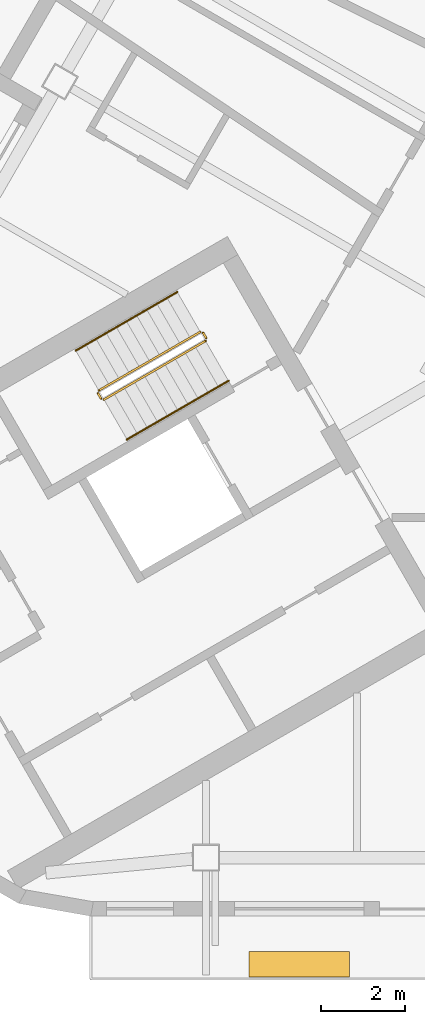
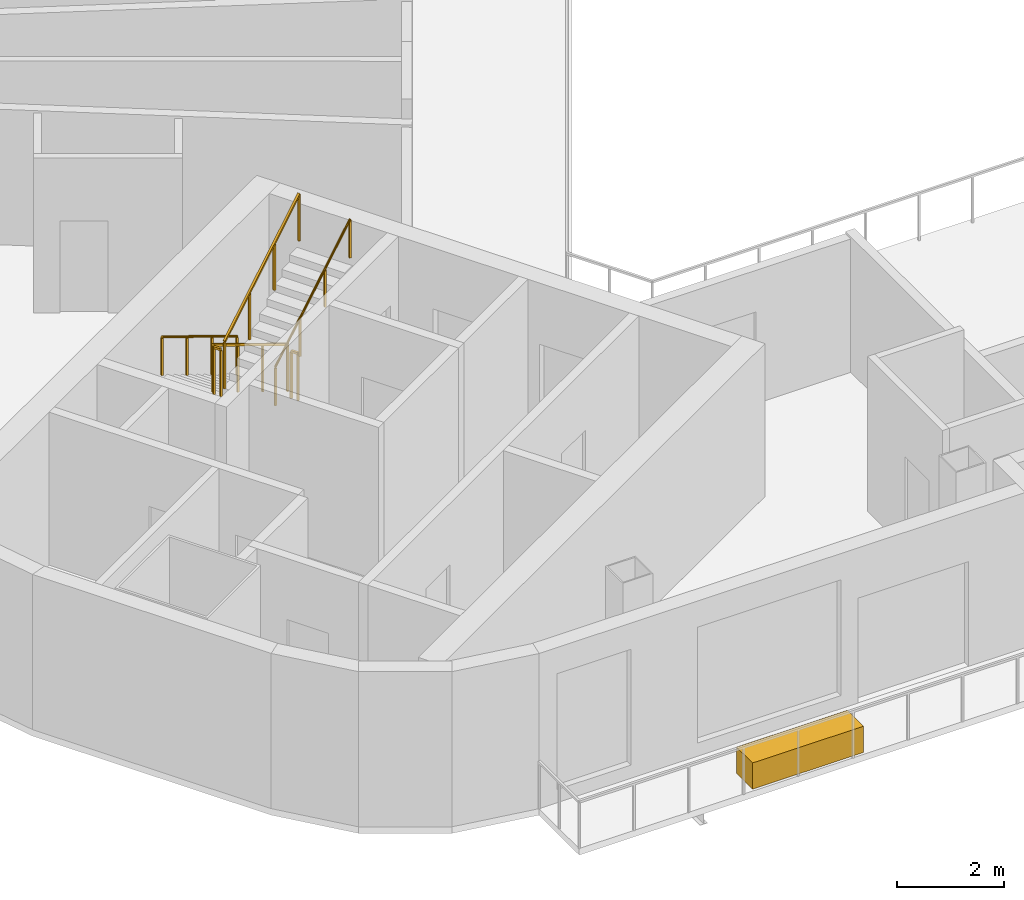
# One storey, part 9 of 13: 6 railings, 1 covering.
"""IFC4 building model written with IfcOpenShell, lengths in metres."""

from ifc_helpers import new_model, si_unit, direction, frame, origin, origin_2d, place, context, subcontext, project, spatial, rectangle, circle, extrude, material, type_object, element, save


model = new_model("IFC4")

# Units and contexts
model_context = context("Model", 3, precision=1e-05, world=origin(), true_north=direction((0.0, 1.0)))
body_context = subcontext(model_context, "Body", "Model", "MODEL_VIEW")
ifc_project = project(units=[si_unit("LENGTHUNIT", "METRE"), si_unit("AREAUNIT", "SQUARE_METRE"), si_unit("VOLUMEUNIT", "CUBIC_METRE"), si_unit("PLANEANGLEUNIT", "RADIAN"), si_unit("MASSUNIT", "GRAM", prefix="KILO")], contexts=[model_context])

# Site, building, storey
site_placement = place(None, origin())
site = spatial("IfcSite", under=ifc_project, at=site_placement, CompositionType="ELEMENT")
building_placement = place(site_placement, origin())
building = spatial("IfcBuilding", under=site, at=building_placement, Name="Apuvela Tower Hotel", CompositionType="ELEMENT")
storey_placement = place(building_placement, frame((0.0, 0.0, 283.699951171875)))
storey = spatial("IfcBuildingStorey", under=building, at=storey_placement, Name="L70", CompositionType="ELEMENT", Elevation=283.699951171875)

# Railings
ifc_material_1 = material(Name="Steel S275 balustrade", Category="steel")
railing_type_1 = type_object("IfcRailingType", Name="COR-GUARD-1100", PredefinedType="GUARDRAIL", material=ifc_material_1)
railing_1_placement = place(storey_placement, frame((-14.569091796875, -3.9658203125, 0.168212890625)))
element("IfcRailing", 1, at=railing_1_placement, inside=storey, type_object=railing_type_1, Name="L70 ST2 stair guard 1", PredefinedType="GUARDRAIL", context=body_context, shape_type="SweptSolid", body=[
    extrude(rectangle(XDim=0.048095703125, YDim=0.048095703125, at=origin_2d()), frame((0.0, 0.0, 1.076171875), z_axis=(-0.742390482028, -0.42860119049, 0.514934356695), x_axis=(0.49998411664, -0.866034573852, 0.0)), (0.0, 0.0, 1.0), 3.26611328125),
    extrude(rectangle(XDim=0.0419921875, YDim=0.0419921875, at=origin_2d()), origin(), (0.0, 0.0, 1.0), 1.052001953125),
    extrude(rectangle(XDim=0.0419921875, YDim=0.0419921875, at=origin_2d()), frame((-0.808349609375, -0.466552734375, 0.560546875)), (0.0, 0.0, 1.0), 1.052001953125),
    extrude(rectangle(XDim=0.0419921875, YDim=0.0419921875, at=origin_2d()), frame((-1.616455078125, -0.933349609375, 1.121337890625)), (0.0, 0.0, 1.0), 1.052001953125),
    extrude(rectangle(XDim=0.0419921875, YDim=0.0419921875, at=origin_2d()), frame((-2.4248046875, -1.39990234375, 1.681884765625)), (0.0, 0.0, 1.0), 1.052001953125),
])
railing_2_placement = place(storey_placement, frame((-17.01220703125, -5.43408203125, 1.85009765625)))
element("IfcRailing", 2, at=railing_2_placement, inside=storey, type_object=railing_type_1, Name="L70 ST2 stair guard 2", PredefinedType="GUARDRAIL", context=body_context, shape_type="SweptSolid", body=[
    extrude(rectangle(XDim=0.048095703125, YDim=0.048095703125, at=origin_2d()), frame((0.0, 0.0, 1.076171875), z_axis=(0.499816412211, -0.866131372301, 0.0), x_axis=(0.866131372301, 0.499816412211, 0.0)), (0.0, 0.0, 1.0), 0.14990234375),
    extrude(rectangle(XDim=0.0419921875, YDim=0.0419921875, at=origin_2d()), origin(), (0.0, 0.0, 1.0), 1.052001953125),
    extrude(rectangle(XDim=0.0419921875, YDim=0.0419921875, at=origin_2d()), frame((0.074951171875, -0.1298828125, 0.0)), (0.0, 0.0, 1.0), 1.052001953125),
])
railing_3_placement = place(storey_placement, frame((-16.868896484375, -5.582275390625, 2.018310546875)))
element("IfcRailing", 3, at=railing_3_placement, inside=storey, type_object=railing_type_1, Name="L70 ST2 stair guard 3", PredefinedType="GUARDRAIL", context=body_context, shape_type="SweptSolid", body=[
    extrude(rectangle(XDim=0.048095703125, YDim=0.048095703125, at=origin_2d()), frame((0.0, 0.0, 1.076171875), z_axis=(0.74241905619, 0.428617687091, 0.514879426), x_axis=(-0.49998411664, 0.866034573852, 0.0)), (0.0, 0.0, 1.0), 3.26611328125),
    extrude(rectangle(XDim=0.0419921875, YDim=0.0419921875, at=origin_2d()), origin(), (0.0, 0.0, 1.0), 1.052001953125),
    extrude(rectangle(XDim=0.0419921875, YDim=0.0419921875, at=origin_2d()), frame((0.808349609375, 0.466552734375, 0.560546875)), (0.0, 0.0, 1.0), 1.052001953125),
    extrude(rectangle(XDim=0.0419921875, YDim=0.0419921875, at=origin_2d()), frame((1.616455078125, 0.933349609375, 1.12109375)), (0.0, 0.0, 1.0), 1.052001953125),
    extrude(rectangle(XDim=0.0419921875, YDim=0.0419921875, at=origin_2d()), frame((2.4248046875, 1.39990234375, 1.681640625)), (0.0, 0.0, 1.0), 1.052001953125),
])
railing_4_placement = place(storey_placement, frame((-14.500732421875, -3.984130859375, 0.0)))
element("IfcRailing", 4, at=railing_4_placement, inside=storey, type_object=railing_type_1, Name="L70 ST2 stair guard 4", PredefinedType="GUARDRAIL", context=body_context, shape_type="SweptSolid", body=[
    extrude(rectangle(XDim=0.048095703125, YDim=0.048095703125, at=origin_2d()), frame((0.0, 0.0, 1.076171875), z_axis=(0.499816412211, -0.866131372301, 0.0), x_axis=(0.866131372301, 0.499816412211, 0.0)), (0.0, 0.0, 1.0), 0.14990234375),
    extrude(rectangle(XDim=0.0419921875, YDim=0.0419921875, at=origin_2d()), origin(), (0.0, 0.0, 1.0), 1.052001953125),
    extrude(rectangle(XDim=0.0419921875, YDim=0.0419921875, at=origin_2d()), frame((0.074951171875, -0.1298828125, 0.0)), (0.0, 0.0, 1.0), 1.052001953125),
])
ifc_material_2 = material(Name="Stainless steel 316 handrail", Category="steel")
railing_type_2 = type_object("IfcRailingType", Name="COR-HANDRAIL-900", PredefinedType="HANDRAIL", material=ifc_material_2)
railing_5_placement = place(storey_placement, frame((-15.118896484375, -3.01318359375, 0.168212890625)))
element("IfcRailing", 5, at=railing_5_placement, inside=storey, type_object=railing_type_2, Name="L70 ST2 stair handrail 1", PredefinedType="HANDRAIL", context=body_context, shape_type="SweptSolid", body=[
    extrude(circle(Radius=0.02392578125, at=origin_2d()), frame((0.0, 0.0, 0.8759765625), z_axis=(-0.742424030051, -0.428577407461, 0.514905783049), x_axis=(0.49994636267, -0.866056369097, 0.0)), (0.0, 0.0, 1.0), 3.266357421875),
    extrude(rectangle(XDim=0.0419921875, YDim=0.0419921875, at=origin_2d()), origin(), (0.0, 0.0, 1.0), 0.851806640625),
    extrude(rectangle(XDim=0.0419921875, YDim=0.0419921875, at=origin_2d()), frame((-0.808349609375, -0.466552734375, 0.560546875)), (0.0, 0.0, 1.0), 0.851806640625),
    extrude(rectangle(XDim=0.0419921875, YDim=0.0419921875, at=origin_2d()), frame((-1.61669921875, -0.933349609375, 1.121337890625)), (0.0, 0.0, 1.0), 0.851806640625),
    extrude(rectangle(XDim=0.0419921875, YDim=0.0419921875, at=origin_2d()), frame((-2.425048828125, -1.39990234375, 1.681884765625)), (0.0, 0.0, 1.0), 0.851806640625),
])
railing_6_placement = place(storey_placement, frame((-16.31884765625, -6.534912109375, 2.018310546875)))
element("IfcRailing", 6, at=railing_6_placement, inside=storey, type_object=railing_type_2, Name="L70 ST2 stair handrail 2", PredefinedType="HANDRAIL", context=body_context, shape_type="SweptSolid", body=[
    extrude(circle(Radius=0.02392578125, at=origin_2d()), frame((0.0, 0.0, 0.8759765625), z_axis=(0.74241905619, 0.428617687091, 0.514879426), x_axis=(-0.49998411664, 0.866034573852, 0.0)), (0.0, 0.0, 1.0), 3.26611328125),
    extrude(rectangle(XDim=0.0419921875, YDim=0.0419921875, at=origin_2d()), origin(), (0.0, 0.0, 1.0), 0.851806640625),
    extrude(rectangle(XDim=0.0419921875, YDim=0.0419921875, at=origin_2d()), frame((0.808349609375, 0.466552734375, 0.560546875)), (0.0, 0.0, 1.0), 0.851806640625),
    extrude(rectangle(XDim=0.0419921875, YDim=0.0419921875, at=origin_2d()), frame((1.616455078125, 0.933349609375, 1.12109375)), (0.0, 0.0, 1.0), 0.851806640625),
    extrude(rectangle(XDim=0.0419921875, YDim=0.0419921875, at=origin_2d()), frame((2.4248046875, 1.39990234375, 1.681640625)), (0.0, 0.0, 1.0), 0.851806640625),
])

# Covering
ifc_material_3 = material(Name="Planting substrate and soil, planted")
covering_type = type_object("IfcCoveringType", Name="ENV-PLANTER-2400x600", PredefinedType="USERDEFINED", material=ifc_material_3)
covering_placement = place(storey_placement, frame((-12.20556640625, -19.07861328125, 0.0), z_axis=(0.0, 0.0, 1.0), x_axis=(1.0, 0.0, 0.0)))
element("IfcCovering", 7, at=covering_placement, inside=storey, type_object=covering_type, Name="Planter S1", ObjectType="PLANTER", PredefinedType="USERDEFINED", context=body_context, shape_type="SweptSolid", body=[
    extrude(rectangle(XDim=2.39990234375, YDim=0.60009765625, at=origin_2d()), origin(), (0.0, 0.0, 1.0), 0.60009765625),
])

save(model, "model.ifc")
